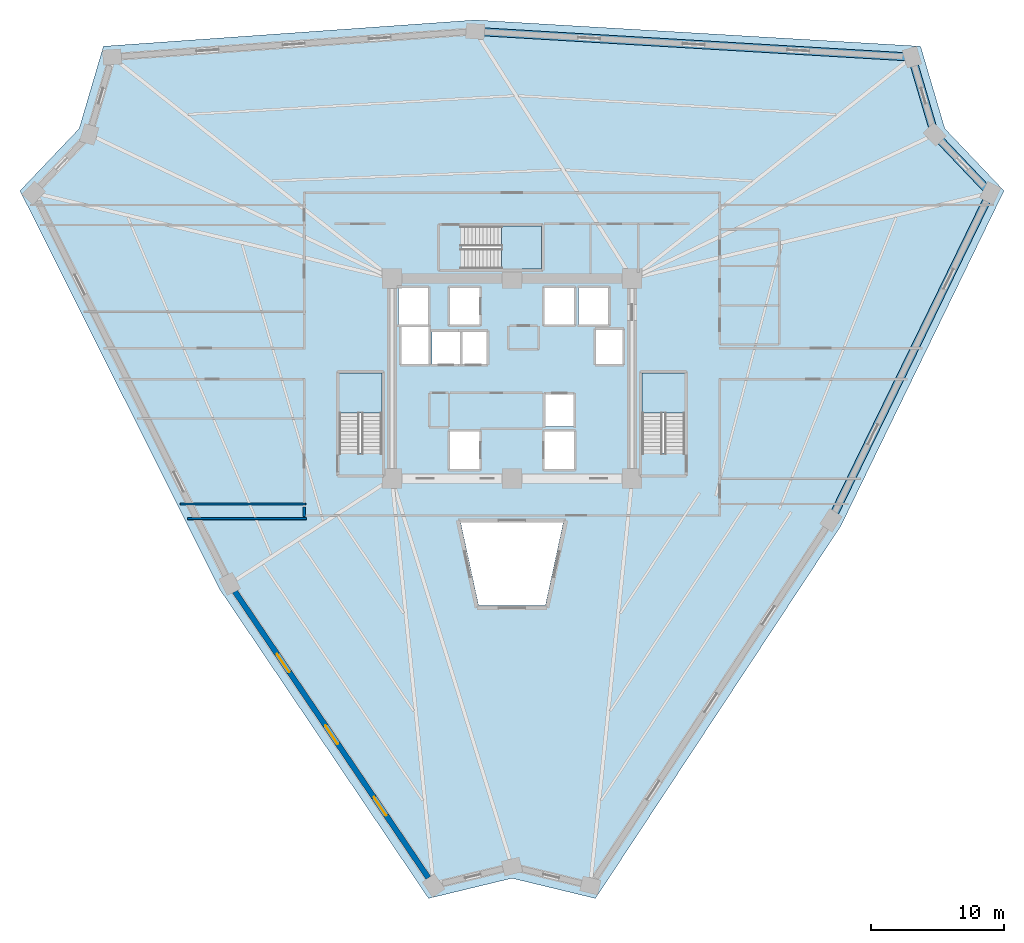
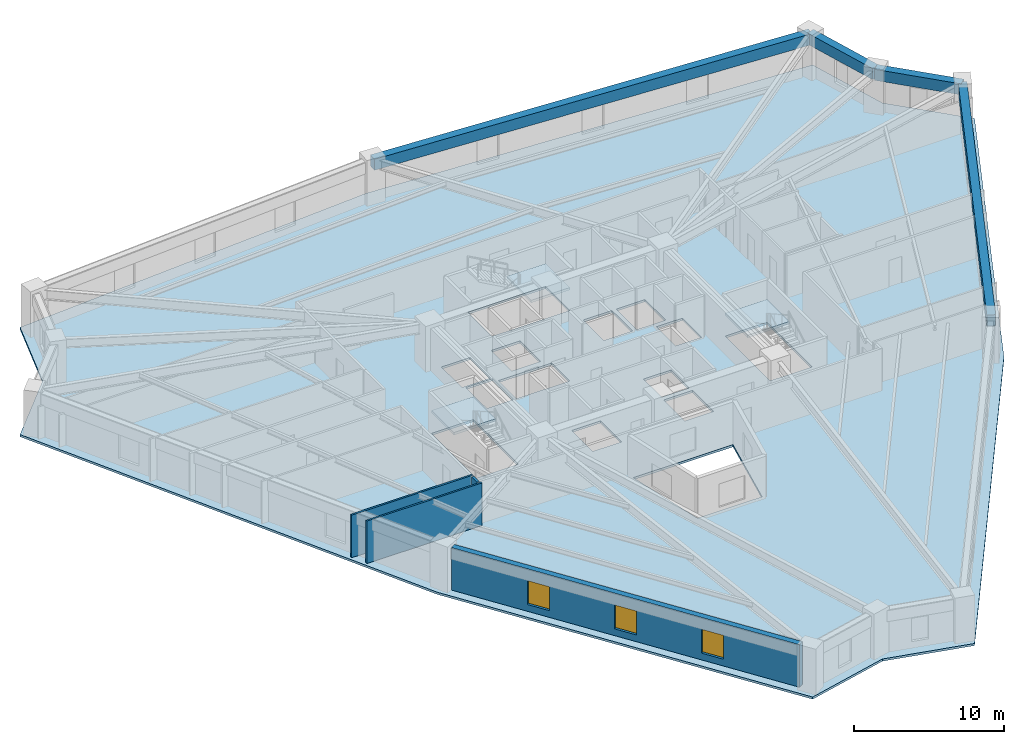
# One storey, part 2 of 8: 4 beams, 4 slabs, 4 walls, 3 windows, 3 openings, 3 elements without a shape of their own.
"""IFC4 building model written with IfcOpenShell, lengths in metres."""

from ifc_helpers import new_model, si_unit, direction, frame, frame_2d, origin, origin_2d, place, context, subcontext, project, spatial, polyline, rectangle, outline, extrude, source, transform, mapped, material, layer, layer_set, material_profile, profile_set, type_object, element, fill, aggregate, save


model = new_model("IFC4")

# Units and contexts
model_context = context("Model", 3, precision=1e-05, world=origin(), true_north=direction((0.0, 1.0)))
body_context = subcontext(model_context, "Body", "Model", "MODEL_VIEW")
ifc_project = project(units=[si_unit("LENGTHUNIT", "METRE"), si_unit("AREAUNIT", "SQUARE_METRE"), si_unit("VOLUMEUNIT", "CUBIC_METRE"), si_unit("PLANEANGLEUNIT", "RADIAN"), si_unit("MASSUNIT", "GRAM", prefix="KILO")], contexts=[model_context])

# Site, building, storey
site_placement = place(None, origin())
site = spatial("IfcSite", under=ifc_project, at=site_placement, CompositionType="ELEMENT")
building_placement = place(site_placement, origin())
building = spatial("IfcBuilding", under=site, at=building_placement, Name="Liaohun Quay Tower", CompositionType="ELEMENT")
storey_placement = place(building_placement, frame((0.0, 0.0, 135.75)))
storey = spatial("IfcBuildingStorey", under=building, at=storey_placement, Name="L35", CompositionType="ELEMENT", Elevation=135.75)

# Beams
ifc_material_1 = material(Name="Precast concrete C55", Category="concrete")
ifc_material_profile = material_profile(ifc_material_1, rectangle(XDim=0.60009765625, YDim=0.89990234375, at=origin_2d()), Name="RC600x900")
ifc_profile_set = profile_set([ifc_material_profile], Name="Precast concrete C55")
beam_type = type_object("IfcBeamType", Name="BM-SPD-Z2", PredefinedType="SPANDREL", material=ifc_profile_set)
shared_shape_1 = source(origin(), body_context, "Body", "SweptSolid", [
    extrude(rectangle(XDim=0.60009765625, YDim=0.89990234375, at=origin_2d()), origin(), (0.0, 0.0, 1.0), 27.27490234375),
])
beam_1_placement = place(storey_placement, frame((95.833984375, 67.903076171875, 3.02001953125), z_axis=(-0.437725487977, -0.899108668168, 0.0), x_axis=(0.899108668168, -0.437725487977, 0.0)))
element("IfcBeam", 1, at=beam_1_placement, inside=storey, type_object=beam_type, Name="L35 Precast Spandrel Beam PC09-PC10", PredefinedType="SPANDREL", context=body_context, shape_type="MappedRepresentation", body=[
    mapped(shared_shape_1, transform((0.0, 0.0, 0.0), x_axis=(1.0, 0.0, 0.0), y_axis=(0.0, 1.0, 0.0), z_axis=(0.0, 0.0, 1.0), scale=1.0)),
])
shared_shape_2 = source(origin(), body_context, "Body", "SweptSolid", [
    extrude(rectangle(XDim=0.60009765625, YDim=0.89990234375, at=origin_2d()), origin(), (0.0, 0.0, 1.0), 32.766845703125),
])
beam_2_placement = place(storey_placement, frame((57.25, 80.00390625, 3.02001953125), z_axis=(0.998265703915, -0.058869214261, 0.0), x_axis=(0.058869214261, 0.998265703915, 0.0)))
element("IfcBeam", 2, at=beam_2_placement, inside=storey, type_object=beam_type, Name="L35 Precast Spandrel Beam PC06-PC07", PredefinedType="SPANDREL", context=body_context, shape_type="MappedRepresentation", body=[
    mapped(shared_shape_2, transform((0.0, 0.0, 0.0), x_axis=(1.0, 0.0, 0.0), y_axis=(0.0, 1.0, 0.0), z_axis=(0.0, 0.0, 1.0), scale=1.0)),
])
shared_shape_3 = source(origin(), body_context, "Body", "SweptSolid", [
    extrude(rectangle(XDim=0.60009765625, YDim=0.89990234375, at=origin_2d()), origin(), (0.0, 0.0, 1.0), 6.038330078125),
])
beam_3_placement = place(storey_placement, frame((89.9599609375, 78.074951171875, 3.02001953125), z_axis=(0.282700394425, -0.95920826049, 0.0), x_axis=(0.95920826049, 0.282700394425, 0.0)))
element("IfcBeam", 3, at=beam_3_placement, inside=storey, type_object=beam_type, Name="L35 Precast Spandrel Beam PC07-PC08", PredefinedType="SPANDREL", context=body_context, shape_type="MappedRepresentation", body=[
    mapped(shared_shape_3, transform((0.0, 0.0, 0.0), x_axis=(1.0, 0.0, 0.0), y_axis=(0.0, 1.0, 0.0), z_axis=(0.0, 0.0, 1.0), scale=1.0)),
])
shared_shape_4 = source(origin(), body_context, "Body", "SweptSolid", [
    extrude(rectangle(XDim=0.60009765625, YDim=0.89990234375, at=origin_2d()), origin(), (0.0, 0.0, 1.0), 6.04541015625),
])
beam_4_placement = place(storey_placement, frame((91.6669921875, 72.282958984375, 3.02001953125), z_axis=(0.689279952075, -0.724495098443, 0.0), x_axis=(0.724495098443, 0.689279952075, 0.0)))
element("IfcBeam", 4, at=beam_4_placement, inside=storey, type_object=beam_type, Name="L35 Precast Spandrel Beam PC08-PC09", PredefinedType="SPANDREL", context=body_context, shape_type="MappedRepresentation", body=[
    mapped(shared_shape_4, transform((0.0, 0.0, 0.0), x_axis=(1.0, 0.0, 0.0), y_axis=(0.0, 1.0, 0.0), z_axis=(0.0, 0.0, 1.0), scale=1.0)),
])

# Stair, slab
ifc_material_2 = material(Name="Concrete C45", Category="concrete")
stair_type = type_object("IfcStairType", Name="STR-CORE-OFF", PredefinedType="HALF_TURN_STAIR", material=ifc_material_2)
stair_1_placement = place(storey_placement, origin())
stair_1 = element("IfcStair", 5, at=stair_1_placement, inside=storey, type_object=stair_type, Name="L35 Smokeproof Core Exit Stair ST-1", PredefinedType="HALF_TURN_STAIR")
ifc_layer_1 = layer(ifc_material_2, 0.199951171875, Name="Concrete C45", Category="concrete")
ifc_layer_set_1 = layer_set([ifc_layer_1], Name="Concrete C45")
slab_type_1 = type_object("IfcSlabType", Name="SLB-LND-200", PredefinedType="LANDING", material=ifc_layer_set_1)
slab_1_placement = place(storey_placement, frame((0.0, 0.0, 1.675048828125)))
slab_1 = element("IfcSlab", 6, at=slab_1_placement, type_object=slab_type_1, Name="ST-1 landing 1", PredefinedType="LANDING", context=body_context, shape_type="SweptSolid", body=[
    extrude(outline(polyline([(50.280029296875, 51.429931640625), (50.280029296875, 54.419921875), (47.0400390625, 54.419921875), (47.0400390625, 51.429931640625), (50.280029296875, 51.429931640625)])), origin(), (0.0, 0.0, 1.0), 0.199951171875),
])
aggregate(stair_1, [slab_1])

stair_2_placement = place(storey_placement, origin())
stair_2 = element("IfcStair", 7, at=stair_2_placement, inside=storey, type_object=stair_type, Name="L35 Smokeproof Core Exit Stair ST-2", PredefinedType="HALF_TURN_STAIR")
slab_2_placement = place(storey_placement, frame((0.0, 0.0, 1.675048828125)))
slab_2 = element("IfcSlab", 8, at=slab_2_placement, type_object=slab_type_1, Name="ST-2 landing 1", PredefinedType="LANDING", context=body_context, shape_type="SweptSolid", body=[
    extrude(outline(polyline([(72.9599609375, 51.429931640625), (72.9599609375, 54.419921875), (69.719970703125, 54.419921875), (69.719970703125, 51.429931640625), (72.9599609375, 51.429931640625)])), origin(), (0.0, 0.0, 1.0), 0.199951171875),
])
aggregate(stair_2, [slab_2])

stair_3_placement = place(storey_placement, origin())
stair_3 = element("IfcStair", 9, at=stair_3_placement, inside=storey, type_object=stair_type, Name="L35 Smokeproof Core Exit Stair ST-3", PredefinedType="HALF_TURN_STAIR")
slab_3_placement = place(storey_placement, frame((0.0, 0.0, 1.675048828125)))
slab_3 = element("IfcSlab", 10, at=slab_3_placement, type_object=slab_type_1, Name="ST-3 landing 1", PredefinedType="LANDING", context=body_context, shape_type="SweptSolid", body=[
    extrude(outline(polyline([(59.22998046875, 62.199951171875), (62.219970703125, 62.199951171875), (62.219970703125, 65.43994140625), (59.22998046875, 65.43994140625), (59.22998046875, 62.199951171875)])), origin(), (0.0, 0.0, 1.0), 0.199951171875),
])
aggregate(stair_3, [slab_3])

# Slab
ifc_layer_2 = layer(ifc_material_2, 0.179931640625, Name="Concrete C45", Category="concrete")
ifc_layer_set_2 = layer_set([ifc_layer_2], Name="Concrete C45")
slab_type_2 = type_object("IfcSlabType", Name="SLB-OFF-180", PredefinedType="FLOOR", material=ifc_layer_set_2)
slab_4_placement = place(storey_placement, frame((0.0, 0.0, -0.179931640625)))
element("IfcSlab", 11, at=slab_4_placement, inside=storey, type_object=slab_type_2, Name="L35 Structural Floor Slab", PredefinedType="FLOOR", context=body_context, shape_type="SweptSolid", body=[
    extrude(outline(polyline([(53.7490234375, 15.050048828125), (60.0, 16.56005859375), (66.2509765625, 15.050048828125), (84.635009765625, 42.9580078125), (96.85693359375, 68.06201171875), (92.424072265625, 72.719970703125), (90.60595703125, 78.887939453125), (57.2451171875, 80.85595703125), (29.39404296875, 78.887939453125), (27.575927734375, 72.719970703125), (23.14306640625, 68.06201171875), (38.118896484375, 38.18701171875), (53.7490234375, 15.050048828125)]), holes=[polyline([(57.56005859375, 50.030029296875), (55.340087890625, 50.030029296875), (55.340087890625, 47.2099609375), (57.56005859375, 47.2099609375), (57.56005859375, 50.030029296875)]), polyline([(50.280029296875, 54.419921875), (47.0400390625, 54.419921875), (47.0400390625, 48.409912109375), (50.280029296875, 48.409912109375), (50.280029296875, 54.419921875)]), polyline([(53.989990234375, 55.090087890625), (58.110107421875, 55.090087890625), (58.110107421875, 57.510009765625), (53.989990234375, 57.510009765625), (53.989990234375, 55.090087890625)]), polyline([(53.760009765625, 55.090087890625), (53.760009765625, 57.909912109375), (51.7099609375, 57.909912109375), (51.7099609375, 55.090087890625), (53.760009765625, 55.090087890625)]), polyline([(53.7099609375, 58.0400390625), (53.7099609375, 60.7900390625), (51.489990234375, 60.7900390625), (51.489990234375, 58.0400390625), (53.7099609375, 58.0400390625)]), polyline([(57.56005859375, 58.0400390625), (57.56005859375, 60.7900390625), (55.340087890625, 60.7900390625), (55.340087890625, 58.0400390625), (57.56005859375, 58.0400390625)]), polyline([(62.219970703125, 62.199951171875), (62.219970703125, 65.43994140625), (56.2099609375, 65.43994140625), (56.2099609375, 62.199951171875), (62.219970703125, 62.199951171875)]), polyline([(62.498046875, 36.97802734375), (63.843017578125, 43.199951171875), (56.156982421875, 43.199951171875), (57.501953125, 36.97802734375), (62.498046875, 36.97802734375)]), polyline([(64.659912109375, 47.2099609375), (64.659912109375, 50.030029296875), (62.43994140625, 50.030029296875), (62.43994140625, 47.2099609375), (64.659912109375, 47.2099609375)]), polyline([(72.9599609375, 54.419921875), (69.719970703125, 54.419921875), (69.719970703125, 48.409912109375), (72.9599609375, 48.409912109375), (72.9599609375, 54.419921875)]), polyline([(64.610107421875, 50.389892578125), (64.610107421875, 52.81005859375), (62.489990234375, 52.81005859375), (62.489990234375, 50.389892578125), (64.610107421875, 50.389892578125)]), polyline([(68.2900390625, 55.090087890625), (68.2900390625, 57.659912109375), (66.2900390625, 57.659912109375), (66.2900390625, 55.090087890625), (68.2900390625, 55.090087890625)]), polyline([(64.659912109375, 58.0400390625), (64.659912109375, 60.7900390625), (62.43994140625, 60.7900390625), (62.43994140625, 58.0400390625), (64.659912109375, 58.0400390625)]), polyline([(67.2099609375, 58.0400390625), (67.2099609375, 60.7900390625), (64.989990234375, 60.7900390625), (64.989990234375, 58.0400390625), (67.2099609375, 58.0400390625)])]), origin(), (0.0, 0.0, 1.0), 0.179931640625),
])

# Wall, openings, windows
ifc_material_3 = material(Name="Precast concrete C50 insulated sandwich", Category="concrete")
ifc_layer_3 = layer(ifc_material_3, 0.419921875, Name="Precast concrete C50 insulated sandwich", Category="concrete")
ifc_layer_set_3 = layer_set([ifc_layer_3], Name="Precast concrete C50 insulated sandwich")
wall_type_1 = type_object("IfcWallType", Name="WAL-EXT-Z12", PredefinedType="SOLIDWALL", material=ifc_layer_set_3)
wall_1_placement = place(storey_placement, frame((39.239990234375, 38.044921875, 0.0), z_axis=(0.0, 0.0, 1.0), x_axis=(0.559815425721, -0.828617335761, 0.0)))
wall_1 = element("IfcWall", 12, at=wall_1_placement, inside=storey, type_object=wall_type_1, Name="L35 Brutalist Precast Pier Wall 11", PredefinedType="SOLIDWALL", context=body_context, shape_type="SweptSolid", body=[
    extrude(rectangle(XDim=25.896240234375, YDim=0.419921875, at=frame_2d((12.9482421875, 0.0))), origin(), (0.0, 0.0, 1.0), 3.469970703125),
])
shared_shape_5 = source(origin(), body_context, "Body", "SweptSolid", [
    extrude(rectangle(XDim=1.64990234375, YDim=1.949951171875, at=frame_2d((0.824951171875, 0.97509765625))), frame((0.0, 0.219970703125, 0.0), z_axis=(0.0, -1.0, 0.0), x_axis=(1.0, 0.0, 0.0)), (0.0, 0.0, 1.0), 0.43994140625),
])
opening_1_placement = place(wall_1_placement, frame((5.64892578125, 0.0, 0.550048828125)))
opening_1 = element("IfcOpeningElement", 13, at=opening_1_placement, cuts=wall_1, Name="Opening W02", PredefinedType="OPENING", context=body_context, shape_type="MappedRepresentation", body=[
    mapped(shared_shape_5, transform((0.0, 0.0, 0.0), x_axis=(1.0, 0.0, 0.0), y_axis=(0.0, 1.0, 0.0), z_axis=(0.0, 0.0, 1.0), scale=1.0)),
])
opening_2_placement = place(wall_1_placement, frame((12.123046875, 0.0, 0.550048828125)))
opening_2 = element("IfcOpeningElement", 14, at=opening_2_placement, cuts=wall_1, Name="Opening W02", PredefinedType="OPENING", context=body_context, shape_type="MappedRepresentation", body=[
    mapped(shared_shape_5, transform((0.0, 0.0, 0.0), x_axis=(1.0, 0.0, 0.0), y_axis=(0.0, 1.0, 0.0), z_axis=(0.0, 0.0, 1.0), scale=1.0)),
])
opening_3_placement = place(wall_1_placement, frame((18.596923828125, 0.0, 0.550048828125)))
opening_3 = element("IfcOpeningElement", 15, at=opening_3_placement, cuts=wall_1, Name="Opening W02", PredefinedType="OPENING", context=body_context, shape_type="MappedRepresentation", body=[
    mapped(shared_shape_5, transform((0.0, 0.0, 0.0), x_axis=(1.0, 0.0, 0.0), y_axis=(0.0, 1.0, 0.0), z_axis=(0.0, 0.0, 1.0), scale=1.0)),
])
ifc_material_4 = material(Name="Triple Low-E argon glazing in thermally broken aluminium", Category="aluminium")
window_type = type_object("IfcWindowType", Name="WIN-PUN-Z2", PartitioningType="DOUBLE_PANEL_VERTICAL", PredefinedType="WINDOW", material=ifc_material_4)
shared_shape_6 = source(origin(), body_context, "Body", "SweptSolid", [
    extrude(rectangle(XDim=1.64990234375, YDim=1.949951171875, at=frame_2d((0.824951171875, 0.97509765625))), frame((0.0, 0.030029296875, 0.0), z_axis=(0.0, -1.0, 0.0), x_axis=(1.0, 0.0, 0.0)), (0.0, 0.0, 1.0), 0.06005859375),
])
window_1_placement = place(opening_1_placement, origin())
window_1 = element("IfcWindow", 16, at=window_1_placement, inside=storey, type_object=window_type, Name="L35 Recessed Cold-Climate Punched Window 11-1", OverallHeight=1.949951171875, OverallWidth=1.64990234375, PartitioningType="DOUBLE_PANEL_VERTICAL", PredefinedType="WINDOW", context=body_context, shape_type="MappedRepresentation", body=[
    mapped(shared_shape_6, transform((0.0, 0.0, 0.0), x_axis=(1.0, 0.0, 0.0), y_axis=(0.0, 1.0, 0.0), z_axis=(0.0, 0.0, 1.0), scale=1.0)),
])
fill(opening_1, window_1)
window_2_placement = place(opening_2_placement, origin())
window_2 = element("IfcWindow", 17, at=window_2_placement, inside=storey, type_object=window_type, Name="L35 Recessed Cold-Climate Punched Window 11-2", OverallHeight=1.949951171875, OverallWidth=1.64990234375, PartitioningType="DOUBLE_PANEL_VERTICAL", PredefinedType="WINDOW", context=body_context, shape_type="MappedRepresentation", body=[
    mapped(shared_shape_6, transform((0.0, 0.0, 0.0), x_axis=(1.0, 0.0, 0.0), y_axis=(0.0, 1.0, 0.0), z_axis=(0.0, 0.0, 1.0), scale=1.0)),
])
fill(opening_2, window_2)
window_3_placement = place(opening_3_placement, origin())
window_3 = element("IfcWindow", 18, at=window_3_placement, inside=storey, type_object=window_type, Name="L35 Recessed Cold-Climate Punched Window 11-3", OverallHeight=1.949951171875, OverallWidth=1.64990234375, PartitioningType="DOUBLE_PANEL_VERTICAL", PredefinedType="WINDOW", context=body_context, shape_type="MappedRepresentation", body=[
    mapped(shared_shape_6, transform((0.0, 0.0, 0.0), x_axis=(1.0, 0.0, 0.0), y_axis=(0.0, 1.0, 0.0), z_axis=(0.0, 0.0, 1.0), scale=1.0)),
])
fill(opening_3, window_3)

# Walls
ifc_material_5 = material(Name="Autoclaved aerated concrete blockwork", Category="masonry")
ifc_layer_4 = layer(ifc_material_5, 0.179931640625, Name="Autoclaved aerated concrete blockwork", Category="masonry")
ifc_layer_set_4 = layer_set([ifc_layer_4], Name="Autoclaved aerated concrete blockwork")
wall_type_2 = type_object("IfcWallType", Name="WAL-PRT-COR", PredefinedType="PARTITIONING", material=ifc_layer_set_4)
wall_2_placement = place(storey_placement, frame((44.43994140625, 43.669921875, 0.0), z_axis=(0.0, 0.0, 1.0), x_axis=(0.0, 1.0, 0.0)))
element("IfcWall", 19, at=wall_2_placement, inside=storey, type_object=wall_type_2, Name="L35 Interior Partition Wall 039", PredefinedType="PARTITIONING", context=body_context, shape_type="SweptSolid", body=[
    extrude(rectangle(XDim=0.715087890625, YDim=0.179931640625, at=frame_2d((0.357421875, 0.0))), origin(), (0.0, 0.0, 1.0), 3.469970703125),
])
ifc_material_6 = material(Name="Gypsum board on twin steel studs", Category="steel")
ifc_layer_5 = layer(ifc_material_6, 0.139892578125, Name="Gypsum board on twin steel studs", Category="steel")
ifc_layer_set_5 = layer_set([ifc_layer_5], Name="Gypsum board on twin steel studs")
wall_type_3 = type_object("IfcWallType", Name="WAL-PRT-OFF", PredefinedType="PARTITIONING", material=ifc_layer_set_5)
wall_3_placement = place(storey_placement, frame((44.60009765625, 43.5, 0.0), z_axis=(0.0, 0.0, 1.0), x_axis=(-1.0, 0.0, 0.0)))
element("IfcWall", 20, at=wall_3_placement, inside=storey, type_object=wall_type_3, Name="L35 Interior Partition Wall 042", PredefinedType="PARTITIONING", context=body_context, shape_type="SweptSolid", body=[
    extrude(rectangle(XDim=8.898193359375, YDim=0.139892578125, at=frame_2d((4.44921875, 0.0))), origin(), (0.0, 0.0, 1.0), 3.469970703125),
])
wall_4_placement = place(storey_placement, frame((44.5400390625, 44.60009765625, 0.0), z_axis=(0.0, 0.0, 1.0), x_axis=(-1.0, 0.0, 0.0)))
element("IfcWall", 21, at=wall_4_placement, inside=storey, type_object=wall_type_3, Name="L35 Interior Partition Wall 043", PredefinedType="PARTITIONING", context=body_context, shape_type="SweptSolid", body=[
    extrude(rectangle(XDim=9.39013671875, YDim=0.139892578125, at=frame_2d((4.695068359375, 0.0))), origin(), (0.0, 0.0, 1.0), 3.469970703125),
])

save(model, "model.ifc")
